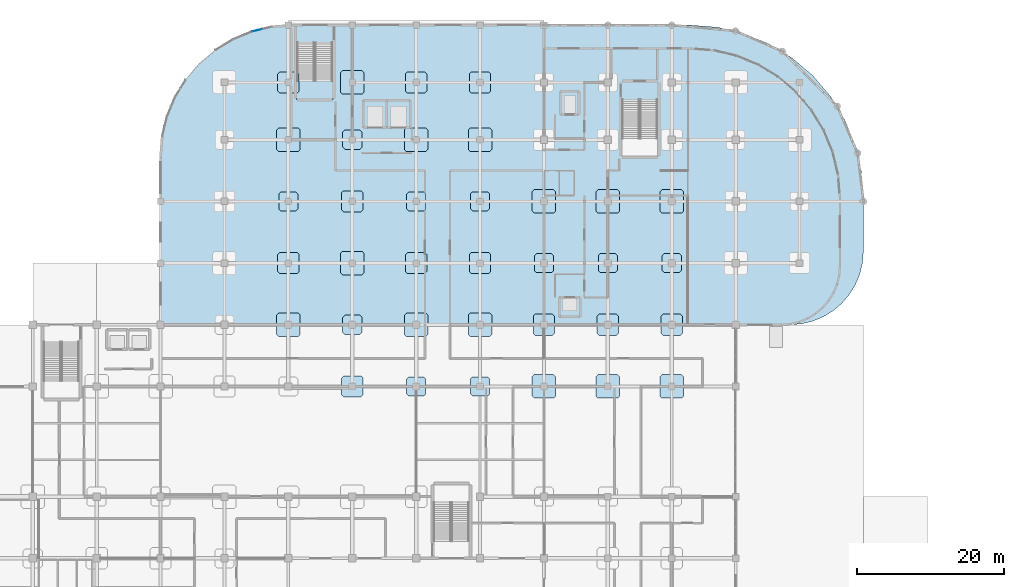
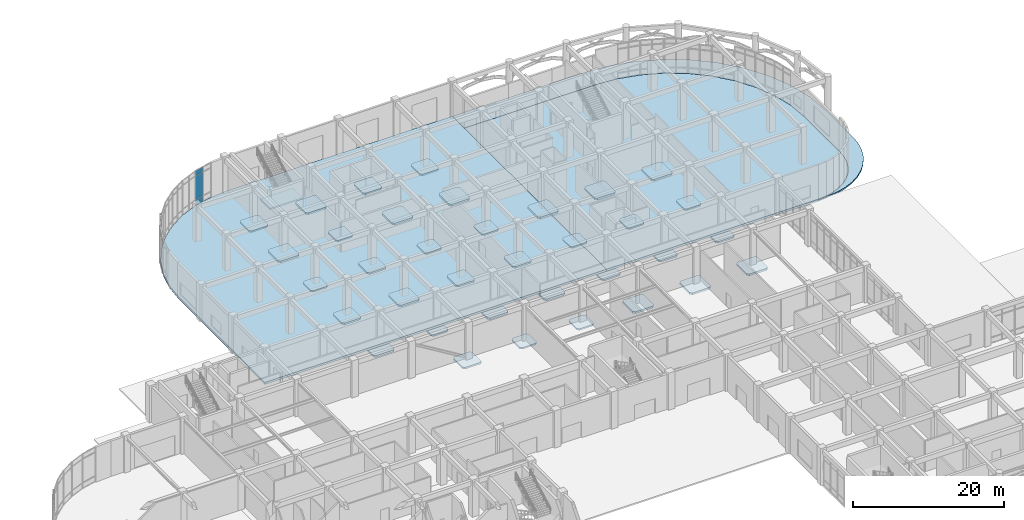
# One storey, part 54 of 82: 39 slabs, 3 plates, 2 elements without a shape of their own.
"""IFC4 building model written with IfcOpenShell, lengths in metres."""

from ifc_helpers import new_model, si_unit, derived_unit, direction, frame, origin, origin_2d, place, context, subcontext, project, spatial, polyline, rectangle, outline, extrude, material, layer, layer_set, type_object, element, aggregate, save


model = new_model("IFC4")

# Units and contexts
model_context = context("Model", 3, precision=1e-05, world=origin(), true_north=direction((0.0, 1.0)))
body_context = subcontext(model_context, "Body", "Model", "MODEL_VIEW")
ifc_project = project(units=[si_unit("LENGTHUNIT", "METRE"), si_unit("AREAUNIT", "SQUARE_METRE"), si_unit("VOLUMEUNIT", "CUBIC_METRE"), si_unit("PLANEANGLEUNIT", "RADIAN"), si_unit("MASSUNIT", "GRAM", prefix="KILO"), derived_unit("THERMALTRANSMITTANCEUNIT", [(si_unit("MASSUNIT", "GRAM", prefix="KILO"), 1), (si_unit("TIMEUNIT", "SECOND"), -3), (si_unit("THERMODYNAMICTEMPERATUREUNIT", "KELVIN"), -1)])], contexts=[model_context])

# Site, building, storey
site_placement = place(None, origin())
site = spatial("IfcSite", under=ifc_project, at=site_placement, CompositionType="ELEMENT")
building_placement = place(site_placement, origin())
building = spatial("IfcBuilding", under=site, at=building_placement, Name="Qinzheling Arcade Emporium", CompositionType="ELEMENT")
storey_placement = place(building_placement, origin())
storey = spatial("IfcBuildingStorey", under=building, at=storey_placement, Name="L01", CompositionType="ELEMENT", Elevation=0.0)

# Slabs
ifc_material_1 = material(Name="Concrete C40", Category="concrete")
ifc_layer_1 = layer(ifc_material_1, 0.235107421875, Name="Concrete C40", Category="concrete")
ifc_layer_set_1 = layer_set([ifc_layer_1], Name="Concrete C40")
slab_type_1 = type_object("IfcSlabType", Name="Column Head Drop Panel 2600x2600x235 C40", PredefinedType="USERDEFINED", material=ifc_layer_set_1)
slab_1_placement = place(storey_placement, frame((0.0, 0.0, -0.574951171875)))
element("IfcSlab", 1, at=slab_1_placement, inside=storey, type_object=slab_type_1, Name="Column Drop Panel DP-L01-10-J", ObjectType="DROP_PANEL", PredefinedType="USERDEFINED", context=body_context, shape_type="SweptSolid", body=[
    extrude(outline(polyline([(77.280029296875, 72.5), (79.320068359375, 72.5), (79.60009765625, 72.780029296875), (79.60009765625, 74.820068359375), (79.320068359375, 75.10009765625), (77.280029296875, 75.10009765625), (77.0, 74.820068359375), (77.0, 72.780029296875), (77.280029296875, 72.5)])), origin(), (0.0, 0.0, 1.0), 0.23486328125),
])
slab_2_placement = place(storey_placement, frame((0.0, 0.0, -0.574951171875)))
element("IfcSlab", 2, at=slab_2_placement, inside=storey, type_object=slab_type_1, Name="Column Drop Panel DP-L01-10-M", ObjectType="DROP_PANEL", PredefinedType="USERDEFINED", context=body_context, shape_type="SweptSolid", body=[
    extrude(outline(polyline([(77.280029296875, 97.699951171875), (79.320068359375, 97.699951171875), (79.60009765625, 97.97998046875), (79.60009765625, 100.02001953125), (79.320068359375, 100.300048828125), (77.280029296875, 100.300048828125), (77.0, 100.02001953125), (77.0, 97.97998046875), (77.280029296875, 97.699951171875)])), origin(), (0.0, 0.0, 1.0), 0.23486328125),
])
slab_3_placement = place(storey_placement, frame((0.0, 0.0, -0.574951171875)))
element("IfcSlab", 3, at=slab_3_placement, inside=storey, type_object=slab_type_1, Name="Column Drop Panel DP-L01-11-H", ObjectType="DROP_PANEL", PredefinedType="USERDEFINED", context=body_context, shape_type="SweptSolid", body=[
    extrude(outline(polyline([(85.97998046875, 64.10009765625), (88.02001953125, 64.10009765625), (88.300048828125, 64.3798828125), (88.300048828125, 66.419921875), (88.02001953125, 66.699951171875), (85.97998046875, 66.699951171875), (85.699951171875, 66.419921875), (85.699951171875, 64.3798828125), (85.97998046875, 64.10009765625)])), origin(), (0.0, 0.0, 1.0), 0.23486328125),
])
slab_4_placement = place(storey_placement, frame((0.0, 0.0, -0.574951171875)))
element("IfcSlab", 4, at=slab_4_placement, inside=storey, type_object=slab_type_1, Name="Column Drop Panel DP-L01-11-L", ObjectType="DROP_PANEL", PredefinedType="USERDEFINED", context=body_context, shape_type="SweptSolid", body=[
    extrude(outline(polyline([(85.97998046875, 89.300048828125), (88.02001953125, 89.300048828125), (88.300048828125, 89.580078125), (88.300048828125, 91.6201171875), (88.02001953125, 91.89990234375), (85.97998046875, 91.89990234375), (85.699951171875, 91.6201171875), (85.699951171875, 89.580078125), (85.97998046875, 89.300048828125)])), origin(), (0.0, 0.0, 1.0), 0.23486328125),
])
slab_5_placement = place(storey_placement, frame((0.0, 0.0, -0.574951171875)))
element("IfcSlab", 5, at=slab_5_placement, inside=storey, type_object=slab_type_1, Name="Column Drop Panel DP-L01-12-H", ObjectType="DROP_PANEL", PredefinedType="USERDEFINED", context=body_context, shape_type="SweptSolid", body=[
    extrude(outline(polyline([(94.679931640625, 64.10009765625), (96.719970703125, 64.10009765625), (97.0, 64.3798828125), (97.0, 66.419921875), (96.719970703125, 66.699951171875), (94.679931640625, 66.699951171875), (94.39990234375, 66.419921875), (94.39990234375, 64.3798828125), (94.679931640625, 64.10009765625)])), origin(), (0.0, 0.0, 1.0), 0.23486328125),
])
slab_6_placement = place(storey_placement, frame((0.0, 0.0, -0.574951171875)))
element("IfcSlab", 6, at=slab_6_placement, inside=storey, type_object=slab_type_1, Name="Column Drop Panel DP-L01-12-L", ObjectType="DROP_PANEL", PredefinedType="USERDEFINED", context=body_context, shape_type="SweptSolid", body=[
    extrude(outline(polyline([(94.679931640625, 89.300048828125), (96.719970703125, 89.300048828125), (97.0, 89.580078125), (97.0, 91.6201171875), (96.719970703125, 91.89990234375), (94.679931640625, 91.89990234375), (94.39990234375, 91.6201171875), (94.39990234375, 89.580078125), (94.679931640625, 89.300048828125)])), origin(), (0.0, 0.0, 1.0), 0.23486328125),
])
slab_7_placement = place(storey_placement, frame((0.0, 0.0, -0.574951171875)))
element("IfcSlab", 7, at=slab_7_placement, inside=storey, type_object=slab_type_1, Name="Column Drop Panel DP-L01-13-K", ObjectType="DROP_PANEL", PredefinedType="USERDEFINED", context=body_context, shape_type="SweptSolid", body=[
    extrude(outline(polyline([(103.3798828125, 80.89990234375), (105.419921875, 80.89990234375), (105.699951171875, 81.179931640625), (105.699951171875, 83.219970703125), (105.419921875, 83.5), (103.3798828125, 83.5), (103.10009765625, 83.219970703125), (103.10009765625, 81.179931640625), (103.3798828125, 80.89990234375)])), origin(), (0.0, 0.0, 1.0), 0.23486328125),
])
slab_8_placement = place(storey_placement, frame((0.0, 0.0, -0.574951171875)))
element("IfcSlab", 8, at=slab_8_placement, inside=storey, type_object=slab_type_1, Name="Column Drop Panel DP-L01-14-K", ObjectType="DROP_PANEL", PredefinedType="USERDEFINED", context=body_context, shape_type="SweptSolid", body=[
    extrude(outline(polyline([(112.080078125, 80.89990234375), (114.1201171875, 80.89990234375), (114.39990234375, 81.179931640625), (114.39990234375, 83.219970703125), (114.1201171875, 83.5), (112.080078125, 83.5), (111.800048828125, 83.219970703125), (111.800048828125, 81.179931640625), (112.080078125, 80.89990234375)])), origin(), (0.0, 0.0, 1.0), 0.23486328125),
])
slab_9_placement = place(storey_placement, frame((0.0, 0.0, -0.574951171875)))
element("IfcSlab", 9, at=slab_9_placement, inside=storey, type_object=slab_type_1, Name="Column Drop Panel DP-L01-15-K", ObjectType="DROP_PANEL", PredefinedType="USERDEFINED", context=body_context, shape_type="SweptSolid", body=[
    extrude(outline(polyline([(120.780029296875, 80.89990234375), (122.820068359375, 80.89990234375), (123.10009765625, 81.179931640625), (123.10009765625, 83.219970703125), (122.820068359375, 83.5), (120.780029296875, 83.5), (120.5, 83.219970703125), (120.5, 81.179931640625), (120.780029296875, 80.89990234375)])), origin(), (0.0, 0.0, 1.0), 0.23486328125),
])
slab_10_placement = place(storey_placement, frame((0.0, 0.0, -0.574951171875)))
element("IfcSlab", 10, at=slab_10_placement, inside=storey, type_object=slab_type_1, Name="Column Drop Panel DP-L01-9-L", ObjectType="DROP_PANEL", PredefinedType="USERDEFINED", context=body_context, shape_type="SweptSolid", body=[
    extrude(outline(polyline([(68.580078125, 89.300048828125), (70.6201171875, 89.300048828125), (70.89990234375, 89.580078125), (70.89990234375, 91.6201171875), (70.6201171875, 91.89990234375), (68.580078125, 91.89990234375), (68.300048828125, 91.6201171875), (68.300048828125, 89.580078125), (68.580078125, 89.300048828125)])), origin(), (0.0, 0.0, 1.0), 0.23486328125),
])
ifc_layer_2 = layer(ifc_material_1, 0.27001953125, Name="Concrete C40", Category="concrete")
ifc_layer_set_2 = layer_set([ifc_layer_2], Name="Concrete C40")
slab_type_2 = type_object("IfcSlabType", Name="Column Head Drop Panel 2900x2900x270 C40", PredefinedType="USERDEFINED", material=ifc_layer_set_2)
slab_11_placement = place(storey_placement, frame((0.0, 0.0, -0.610107421875)))
element("IfcSlab", 11, at=slab_11_placement, inside=storey, type_object=slab_type_2, Name="Column Drop Panel DP-L01-10-H", ObjectType="DROP_PANEL", PredefinedType="USERDEFINED", context=body_context, shape_type="SweptSolid", body=[
    extrude(outline(polyline([(77.1298828125, 63.949951171875), (79.469970703125, 63.949951171875), (79.75, 64.22998046875), (79.75, 66.570068359375), (79.469970703125, 66.85009765625), (77.1298828125, 66.85009765625), (76.85009765625, 66.570068359375), (76.85009765625, 64.22998046875), (77.1298828125, 63.949951171875)])), origin(), (0.0, 0.0, 1.0), 0.27001953125),
])
slab_12_placement = place(storey_placement, frame((0.0, 0.0, -0.610107421875)))
element("IfcSlab", 12, at=slab_12_placement, inside=storey, type_object=slab_type_2, Name="Column Drop Panel DP-L01-10-L", ObjectType="DROP_PANEL", PredefinedType="USERDEFINED", context=body_context, shape_type="SweptSolid", body=[
    extrude(outline(polyline([(77.1298828125, 89.14990234375), (79.469970703125, 89.14990234375), (79.75, 89.429931640625), (79.75, 91.77001953125), (79.469970703125, 92.050048828125), (77.1298828125, 92.050048828125), (76.85009765625, 91.77001953125), (76.85009765625, 89.429931640625), (77.1298828125, 89.14990234375)])), origin(), (0.0, 0.0, 1.0), 0.27001953125),
])
slab_13_placement = place(storey_placement, frame((0.0, 0.0, -0.610107421875)))
element("IfcSlab", 13, at=slab_13_placement, inside=storey, type_object=slab_type_2, Name="Column Drop Panel DP-L01-11-K", ObjectType="DROP_PANEL", PredefinedType="USERDEFINED", context=body_context, shape_type="SweptSolid", body=[
    extrude(outline(polyline([(85.830078125, 80.75), (88.169921875, 80.75), (88.449951171875, 81.030029296875), (88.449951171875, 83.3701171875), (88.169921875, 83.64990234375), (85.830078125, 83.64990234375), (85.550048828125, 83.3701171875), (85.550048828125, 81.030029296875), (85.830078125, 80.75)])), origin(), (0.0, 0.0, 1.0), 0.27001953125),
])
slab_14_placement = place(storey_placement, frame((0.0, 0.0, -0.610107421875)))
element("IfcSlab", 14, at=slab_14_placement, inside=storey, type_object=slab_type_2, Name="Column Drop Panel DP-L01-11-N", ObjectType="DROP_PANEL", PredefinedType="USERDEFINED", context=body_context, shape_type="SweptSolid", body=[
    extrude(outline(polyline([(85.830078125, 105.35009765625), (88.169921875, 105.35009765625), (88.449951171875, 105.6298828125), (88.449951171875, 107.969970703125), (88.169921875, 108.25), (85.830078125, 108.25), (85.550048828125, 107.969970703125), (85.550048828125, 105.6298828125), (85.830078125, 105.35009765625)])), origin(), (0.0, 0.0, 1.0), 0.27001953125),
])
slab_15_placement = place(storey_placement, frame((0.0, 0.0, -0.610107421875)))
element("IfcSlab", 15, at=slab_15_placement, inside=storey, type_object=slab_type_2, Name="Column Drop Panel DP-L01-12-K", ObjectType="DROP_PANEL", PredefinedType="USERDEFINED", context=body_context, shape_type="SweptSolid", body=[
    extrude(outline(polyline([(94.530029296875, 80.75), (96.8701171875, 80.75), (97.14990234375, 81.030029296875), (97.14990234375, 83.3701171875), (96.8701171875, 83.64990234375), (94.530029296875, 83.64990234375), (94.25, 83.3701171875), (94.25, 81.030029296875), (94.530029296875, 80.75)])), origin(), (0.0, 0.0, 1.0), 0.27001953125),
])
slab_16_placement = place(storey_placement, frame((0.0, 0.0, -0.610107421875)))
element("IfcSlab", 16, at=slab_16_placement, inside=storey, type_object=slab_type_2, Name="Column Drop Panel DP-L01-12-N", ObjectType="DROP_PANEL", PredefinedType="USERDEFINED", context=body_context, shape_type="SweptSolid", body=[
    extrude(outline(polyline([(94.530029296875, 105.35009765625), (96.8701171875, 105.35009765625), (97.14990234375, 105.6298828125), (97.14990234375, 107.969970703125), (96.8701171875, 108.25), (94.530029296875, 108.25), (94.25, 107.969970703125), (94.25, 105.6298828125), (94.530029296875, 105.35009765625)])), origin(), (0.0, 0.0, 1.0), 0.27001953125),
])
slab_17_placement = place(storey_placement, frame((0.0, 0.0, -0.610107421875)))
element("IfcSlab", 17, at=slab_17_placement, inside=storey, type_object=slab_type_2, Name="Column Drop Panel DP-L01-13-J", ObjectType="DROP_PANEL", PredefinedType="USERDEFINED", context=body_context, shape_type="SweptSolid", body=[
    extrude(outline(polyline([(103.22998046875, 72.35009765625), (105.570068359375, 72.35009765625), (105.85009765625, 72.6298828125), (105.85009765625, 74.969970703125), (105.570068359375, 75.25), (103.22998046875, 75.25), (102.949951171875, 74.969970703125), (102.949951171875, 72.6298828125), (103.22998046875, 72.35009765625)])), origin(), (0.0, 0.0, 1.0), 0.27001953125),
])
slab_18_placement = place(storey_placement, frame((0.0, 0.0, -0.610107421875)))
element("IfcSlab", 18, at=slab_18_placement, inside=storey, type_object=slab_type_2, Name="Column Drop Panel DP-L01-14-J", ObjectType="DROP_PANEL", PredefinedType="USERDEFINED", context=body_context, shape_type="SweptSolid", body=[
    extrude(outline(polyline([(111.929931640625, 72.35009765625), (114.27001953125, 72.35009765625), (114.550048828125, 72.6298828125), (114.550048828125, 74.969970703125), (114.27001953125, 75.25), (111.929931640625, 75.25), (111.64990234375, 74.969970703125), (111.64990234375, 72.6298828125), (111.929931640625, 72.35009765625)])), origin(), (0.0, 0.0, 1.0), 0.27001953125),
])
slab_19_placement = place(storey_placement, frame((0.0, 0.0, -0.610107421875)))
element("IfcSlab", 19, at=slab_19_placement, inside=storey, type_object=slab_type_2, Name="Column Drop Panel DP-L01-15-J", ObjectType="DROP_PANEL", PredefinedType="USERDEFINED", context=body_context, shape_type="SweptSolid", body=[
    extrude(outline(polyline([(120.6298828125, 72.35009765625), (122.969970703125, 72.35009765625), (123.25, 72.6298828125), (123.25, 74.969970703125), (122.969970703125, 75.25), (120.6298828125, 75.25), (120.35009765625, 74.969970703125), (120.35009765625, 72.6298828125), (120.6298828125, 72.35009765625)])), origin(), (0.0, 0.0, 1.0), 0.27001953125),
])
slab_20_placement = place(storey_placement, frame((0.0, 0.0, -0.610107421875)))
element("IfcSlab", 20, at=slab_20_placement, inside=storey, type_object=slab_type_2, Name="Column Drop Panel DP-L01-9-K", ObjectType="DROP_PANEL", PredefinedType="USERDEFINED", context=body_context, shape_type="SweptSolid", body=[
    extrude(outline(polyline([(68.429931640625, 80.75), (70.77001953125, 80.75), (71.050048828125, 81.030029296875), (71.050048828125, 83.3701171875), (70.77001953125, 83.64990234375), (68.429931640625, 83.64990234375), (68.14990234375, 83.3701171875), (68.14990234375, 81.030029296875), (68.429931640625, 80.75)])), origin(), (0.0, 0.0, 1.0), 0.27001953125),
])
slab_21_placement = place(storey_placement, frame((0.0, 0.0, -0.610107421875)))
element("IfcSlab", 21, at=slab_21_placement, inside=storey, type_object=slab_type_2, Name="Column Drop Panel DP-L01-9-N", ObjectType="DROP_PANEL", PredefinedType="USERDEFINED", context=body_context, shape_type="SweptSolid", body=[
    extrude(outline(polyline([(68.429931640625, 105.35009765625), (70.77001953125, 105.35009765625), (71.050048828125, 105.6298828125), (71.050048828125, 107.969970703125), (70.77001953125, 108.25), (68.429931640625, 108.25), (68.14990234375, 107.969970703125), (68.14990234375, 105.6298828125), (68.429931640625, 105.35009765625)])), origin(), (0.0, 0.0, 1.0), 0.27001953125),
])
ifc_layer_3 = layer(ifc_material_1, 0.300048828125, Name="Concrete C40", Category="concrete")
ifc_layer_set_3 = layer_set([ifc_layer_3], Name="Concrete C40")
slab_type_3 = type_object("IfcSlabType", Name="Column Head Drop Panel 3200x3200x300 C40", PredefinedType="USERDEFINED", material=ifc_layer_set_3)
slab_22_placement = place(storey_placement, frame((0.0, 0.0, -0.639892578125)))
element("IfcSlab", 22, at=slab_22_placement, inside=storey, type_object=slab_type_3, Name="Column Drop Panel DP-L01-10-K", ObjectType="DROP_PANEL", PredefinedType="USERDEFINED", context=body_context, shape_type="SweptSolid", body=[
    extrude(outline(polyline([(76.97998046875, 80.60009765625), (79.6201171875, 80.60009765625), (79.89990234375, 80.8798828125), (79.89990234375, 83.52001953125), (79.6201171875, 83.800048828125), (76.97998046875, 83.800048828125), (76.699951171875, 83.52001953125), (76.699951171875, 80.8798828125), (76.97998046875, 80.60009765625)])), origin(), (0.0, 0.0, 1.0), 0.2998046875),
])
slab_23_placement = place(storey_placement, frame((0.0, 0.0, -0.639892578125)))
element("IfcSlab", 23, at=slab_23_placement, inside=storey, type_object=slab_type_3, Name="Column Drop Panel DP-L01-10-N", ObjectType="DROP_PANEL", PredefinedType="USERDEFINED", context=body_context, shape_type="SweptSolid", body=[
    extrude(outline(polyline([(76.97998046875, 105.199951171875), (79.6201171875, 105.199951171875), (79.89990234375, 105.47998046875), (79.89990234375, 108.1201171875), (79.6201171875, 108.39990234375), (76.97998046875, 108.39990234375), (76.699951171875, 108.1201171875), (76.699951171875, 105.47998046875), (76.97998046875, 105.199951171875)])), origin(), (0.0, 0.0, 1.0), 0.2998046875),
])
slab_24_placement = place(storey_placement, frame((0.0, 0.0, -0.639892578125)))
element("IfcSlab", 24, at=slab_24_placement, inside=storey, type_object=slab_type_3, Name="Column Drop Panel DP-L01-11-J", ObjectType="DROP_PANEL", PredefinedType="USERDEFINED", context=body_context, shape_type="SweptSolid", body=[
    extrude(outline(polyline([(85.679931640625, 72.199951171875), (88.320068359375, 72.199951171875), (88.60009765625, 72.47998046875), (88.60009765625, 75.1201171875), (88.320068359375, 75.39990234375), (85.679931640625, 75.39990234375), (85.39990234375, 75.1201171875), (85.39990234375, 72.47998046875), (85.679931640625, 72.199951171875)])), origin(), (0.0, 0.0, 1.0), 0.2998046875),
])
slab_25_placement = place(storey_placement, frame((0.0, 0.0, -0.639892578125)))
element("IfcSlab", 25, at=slab_25_placement, inside=storey, type_object=slab_type_3, Name="Column Drop Panel DP-L01-11-M", ObjectType="DROP_PANEL", PredefinedType="USERDEFINED", context=body_context, shape_type="SweptSolid", body=[
    extrude(outline(polyline([(85.679931640625, 97.39990234375), (88.320068359375, 97.39990234375), (88.60009765625, 97.679931640625), (88.60009765625, 100.320068359375), (88.320068359375, 100.60009765625), (85.679931640625, 100.60009765625), (85.39990234375, 100.320068359375), (85.39990234375, 97.679931640625), (85.679931640625, 97.39990234375)])), origin(), (0.0, 0.0, 1.0), 0.2998046875),
])
slab_26_placement = place(storey_placement, frame((0.0, 0.0, -0.639892578125)))
element("IfcSlab", 26, at=slab_26_placement, inside=storey, type_object=slab_type_3, Name="Column Drop Panel DP-L01-12-J", ObjectType="DROP_PANEL", PredefinedType="USERDEFINED", context=body_context, shape_type="SweptSolid", body=[
    extrude(outline(polyline([(94.3798828125, 72.199951171875), (97.02001953125, 72.199951171875), (97.300048828125, 72.47998046875), (97.300048828125, 75.1201171875), (97.02001953125, 75.39990234375), (94.3798828125, 75.39990234375), (94.10009765625, 75.1201171875), (94.10009765625, 72.47998046875), (94.3798828125, 72.199951171875)])), origin(), (0.0, 0.0, 1.0), 0.2998046875),
])
slab_27_placement = place(storey_placement, frame((0.0, 0.0, -0.639892578125)))
element("IfcSlab", 27, at=slab_27_placement, inside=storey, type_object=slab_type_3, Name="Column Drop Panel DP-L01-12-M", ObjectType="DROP_PANEL", PredefinedType="USERDEFINED", context=body_context, shape_type="SweptSolid", body=[
    extrude(outline(polyline([(94.3798828125, 97.39990234375), (97.02001953125, 97.39990234375), (97.300048828125, 97.679931640625), (97.300048828125, 100.320068359375), (97.02001953125, 100.60009765625), (94.3798828125, 100.60009765625), (94.10009765625, 100.320068359375), (94.10009765625, 97.679931640625), (94.3798828125, 97.39990234375)])), origin(), (0.0, 0.0, 1.0), 0.2998046875),
])
slab_28_placement = place(storey_placement, frame((0.0, 0.0, -0.639892578125)))
element("IfcSlab", 28, at=slab_28_placement, inside=storey, type_object=slab_type_3, Name="Column Drop Panel DP-L01-13-H", ObjectType="DROP_PANEL", PredefinedType="USERDEFINED", context=body_context, shape_type="SweptSolid", body=[
    extrude(outline(polyline([(103.080078125, 63.800048828125), (105.719970703125, 63.800048828125), (106.0, 64.080078125), (106.0, 66.719970703125), (105.719970703125, 67.0), (103.080078125, 67.0), (102.800048828125, 66.719970703125), (102.800048828125, 64.080078125), (103.080078125, 63.800048828125)])), origin(), (0.0, 0.0, 1.0), 0.2998046875),
])
slab_29_placement = place(storey_placement, frame((0.0, 0.0, -0.639892578125)))
element("IfcSlab", 29, at=slab_29_placement, inside=storey, type_object=slab_type_3, Name="Column Drop Panel DP-L01-13-L", ObjectType="DROP_PANEL", PredefinedType="USERDEFINED", context=body_context, shape_type="SweptSolid", body=[
    extrude(outline(polyline([(103.080078125, 89.0), (105.719970703125, 89.0), (106.0, 89.280029296875), (106.0, 91.919921875), (105.719970703125, 92.199951171875), (103.080078125, 92.199951171875), (102.800048828125, 91.919921875), (102.800048828125, 89.280029296875), (103.080078125, 89.0)])), origin(), (0.0, 0.0, 1.0), 0.2998046875),
])
slab_30_placement = place(storey_placement, frame((0.0, 0.0, -0.639892578125)))
element("IfcSlab", 30, at=slab_30_placement, inside=storey, type_object=slab_type_3, Name="Column Drop Panel DP-L01-14-H", ObjectType="DROP_PANEL", PredefinedType="USERDEFINED", context=body_context, shape_type="SweptSolid", body=[
    extrude(outline(polyline([(111.780029296875, 63.800048828125), (114.419921875, 63.800048828125), (114.699951171875, 64.080078125), (114.699951171875, 66.719970703125), (114.419921875, 67.0), (111.780029296875, 67.0), (111.5, 66.719970703125), (111.5, 64.080078125), (111.780029296875, 63.800048828125)])), origin(), (0.0, 0.0, 1.0), 0.2998046875),
])
slab_31_placement = place(storey_placement, frame((0.0, 0.0, -0.639892578125)))
element("IfcSlab", 31, at=slab_31_placement, inside=storey, type_object=slab_type_3, Name="Column Drop Panel DP-L01-14-L", ObjectType="DROP_PANEL", PredefinedType="USERDEFINED", context=body_context, shape_type="SweptSolid", body=[
    extrude(outline(polyline([(111.780029296875, 89.0), (114.419921875, 89.0), (114.699951171875, 89.280029296875), (114.699951171875, 91.919921875), (114.419921875, 92.199951171875), (111.780029296875, 92.199951171875), (111.5, 91.919921875), (111.5, 89.280029296875), (111.780029296875, 89.0)])), origin(), (0.0, 0.0, 1.0), 0.2998046875),
])
slab_32_placement = place(storey_placement, frame((0.0, 0.0, -0.639892578125)))
element("IfcSlab", 32, at=slab_32_placement, inside=storey, type_object=slab_type_3, Name="Column Drop Panel DP-L01-15-H", ObjectType="DROP_PANEL", PredefinedType="USERDEFINED", context=body_context, shape_type="SweptSolid", body=[
    extrude(outline(polyline([(120.47998046875, 63.800048828125), (123.1201171875, 63.800048828125), (123.39990234375, 64.080078125), (123.39990234375, 66.719970703125), (123.1201171875, 67.0), (120.47998046875, 67.0), (120.199951171875, 66.719970703125), (120.199951171875, 64.080078125), (120.47998046875, 63.800048828125)])), origin(), (0.0, 0.0, 1.0), 0.2998046875),
])
slab_33_placement = place(storey_placement, frame((0.0, 0.0, -0.639892578125)))
element("IfcSlab", 33, at=slab_33_placement, inside=storey, type_object=slab_type_3, Name="Column Drop Panel DP-L01-15-L", ObjectType="DROP_PANEL", PredefinedType="USERDEFINED", context=body_context, shape_type="SweptSolid", body=[
    extrude(outline(polyline([(120.47998046875, 89.0), (123.1201171875, 89.0), (123.39990234375, 89.280029296875), (123.39990234375, 91.919921875), (123.1201171875, 92.199951171875), (120.47998046875, 92.199951171875), (120.199951171875, 91.919921875), (120.199951171875, 89.280029296875), (120.47998046875, 89.0)])), origin(), (0.0, 0.0, 1.0), 0.2998046875),
])
slab_34_placement = place(storey_placement, frame((0.0, 0.0, -0.639892578125)))
element("IfcSlab", 34, at=slab_34_placement, inside=storey, type_object=slab_type_3, Name="Column Drop Panel DP-L01-9-J", ObjectType="DROP_PANEL", PredefinedType="USERDEFINED", context=body_context, shape_type="SweptSolid", body=[
    extrude(outline(polyline([(68.280029296875, 72.199951171875), (70.919921875, 72.199951171875), (71.199951171875, 72.47998046875), (71.199951171875, 75.1201171875), (70.919921875, 75.39990234375), (68.280029296875, 75.39990234375), (68.0, 75.1201171875), (68.0, 72.47998046875), (68.280029296875, 72.199951171875)])), origin(), (0.0, 0.0, 1.0), 0.2998046875),
])
slab_35_placement = place(storey_placement, frame((0.0, 0.0, -0.639892578125)))
element("IfcSlab", 35, at=slab_35_placement, inside=storey, type_object=slab_type_3, Name="Column Drop Panel DP-L01-9-M", ObjectType="DROP_PANEL", PredefinedType="USERDEFINED", context=body_context, shape_type="SweptSolid", body=[
    extrude(outline(polyline([(68.280029296875, 97.39990234375), (70.919921875, 97.39990234375), (71.199951171875, 97.679931640625), (71.199951171875, 100.320068359375), (70.919921875, 100.60009765625), (68.280029296875, 100.60009765625), (68.0, 100.320068359375), (68.0, 97.679931640625), (68.280029296875, 97.39990234375)])), origin(), (0.0, 0.0, 1.0), 0.2998046875),
])
ifc_layer_4 = layer(ifc_material_1, 0.219970703125, Name="Concrete C40", Category="concrete")
ifc_layer_set_4 = layer_set([ifc_layer_4], Name="Concrete C40")
slab_type_4 = type_object("IfcSlabType", Name="Exterior Entry Driveway Paving Slab 220 C40", PredefinedType="FLOOR", material=ifc_layer_set_4)
slab_36_placement = place(storey_placement, frame((0.0, 0.0, -0.219970703125)))
element("IfcSlab", 36, at=slab_36_placement, inside=storey, type_object=slab_type_4, Name="Arcade and Court Paving SLB-L01-ARC-COL-02", PredefinedType="FLOOR", context=body_context, shape_type="SweptSolid", body=[
    extrude(outline(polyline([(104.39990234375, 111.39990234375), (124.39990234375, 111.39990234375), (127.575927734375, 111.14990234375), (130.673095703125, 110.406005859375), (133.615966796875, 109.18701171875), (136.33203125, 107.52294921875), (138.75390625, 105.4541015625), (140.822998046875, 103.031982421875), (142.487060546875, 100.31591796875), (143.7060546875, 97.373046875), (144.449951171875, 94.27587890625), (144.699951171875, 91.10009765625), (144.699951171875, 81.800048828125), (144.60205078125, 80.549072265625), (144.30810546875, 79.327880859375), (143.827880859375, 78.16796875), (143.172119140625, 77.097900390625), (142.35693359375, 76.14306640625), (141.402099609375, 75.327880859375), (140.33203125, 74.672119140625), (139.172119140625, 74.19189453125), (137.950927734375, 73.89794921875), (136.699951171875, 73.800048828125), (137.89990234375, 73.800048828125), (139.464111328125, 73.923095703125), (140.989990234375, 74.2890625), (142.43994140625, 74.889892578125), (143.778076171875, 75.7099609375), (144.970947265625, 76.72900390625), (145.989990234375, 77.922119140625), (146.81005859375, 79.260009765625), (147.410888671875, 80.7099609375), (147.777099609375, 82.236083984375), (147.89990234375, 83.800048828125), (147.89990234375, 91.10009765625), (147.611083984375, 94.77587890625), (146.75, 98.362060546875), (145.339111328125, 101.76904296875), (143.412109375, 104.9130859375), (141.01708984375, 107.717041015625), (138.212890625, 110.112060546875), (135.069091796875, 112.0390625), (131.662109375, 113.449951171875), (128.075927734375, 114.31103515625), (124.39990234375, 114.60009765625), (104.39990234375, 114.60009765625), (104.39990234375, 111.39990234375)])), origin(), (0.0, 0.0, 1.0), 0.219970703125),
])
ifc_layer_5 = layer(ifc_material_1, 0.340087890625, Name="Concrete C40", Category="concrete")
ifc_layer_set_5 = layer_set([ifc_layer_5], Name="Concrete C40")
slab_type_5 = type_object("IfcSlabType", Name="Ground Mercantile & Dock Slab 340 C40", PredefinedType="FLOOR", material=ifc_layer_set_5)
slab_37_placement = place(storey_placement, frame((0.0, 0.0, -0.340087890625)))
element("IfcSlab", 37, at=slab_37_placement, inside=storey, type_object=slab_type_5, Name="Floor Slab SLB-L01-V5", PredefinedType="FLOOR", context=body_context, shape_type="SweptSolid", body=[
    extrude(outline(polyline([(52.199951171875, 96.60009765625), (52.199951171875, 73.800048828125), (104.39990234375, 73.800048828125), (104.39990234375, 114.60009765625), (70.199951171875, 114.60009765625), (67.384033203125, 114.3779296875), (64.637939453125, 113.718994140625), (62.028076171875, 112.637939453125), (59.6201171875, 111.162109375), (57.471923828125, 109.327880859375), (55.637939453125, 107.179931640625), (54.162109375, 104.77197265625), (53.0810546875, 102.162109375), (52.422119140625, 99.416015625), (52.199951171875, 96.60009765625)])), origin(), (0.0, 0.0, 1.0), 0.340087890625),
])
slab_38_placement = place(storey_placement, frame((0.0, 0.0, -0.340087890625)))
element("IfcSlab", 38, at=slab_38_placement, inside=storey, type_object=slab_type_5, Name="Floor Slab SLB-L01-V6", PredefinedType="FLOOR", context=body_context, shape_type="SweptSolid", body=[
    extrude(outline(polyline([(104.39990234375, 111.39990234375), (104.39990234375, 73.800048828125), (136.699951171875, 73.800048828125), (137.950927734375, 73.89794921875), (139.172119140625, 74.19189453125), (140.33203125, 74.672119140625), (141.402099609375, 75.327880859375), (142.35693359375, 76.14306640625), (143.172119140625, 77.097900390625), (143.827880859375, 78.16796875), (144.30810546875, 79.327880859375), (144.60205078125, 80.549072265625), (144.699951171875, 81.800048828125), (144.699951171875, 91.10009765625), (144.449951171875, 94.27587890625), (143.7060546875, 97.373046875), (142.487060546875, 100.31591796875), (140.822998046875, 103.031982421875), (138.75390625, 105.4541015625), (136.33203125, 107.52294921875), (133.615966796875, 109.18701171875), (130.673095703125, 110.406005859375), (127.575927734375, 111.14990234375), (124.39990234375, 111.39990234375), (104.39990234375, 111.39990234375)])), origin(), (0.0, 0.0, 1.0), 0.340087890625),
])

# Curtain wall, plates
ifc_material_2 = material(Name="Anodised aluminium and solar-control double glazing", Category="aluminium")
ifc_layer_6 = layer(ifc_material_2, 0.159912109375, Name="Anodised aluminium and solar-control double glazing", Category="aluminium")
ifc_layer_set_6 = layer_set([ifc_layer_6], Name="Anodised aluminium and solar-control double glazing")
curtain_wall_type = type_object("IfcCurtainWallType", Name="Curved Ribbon Sales Curtain Wall", PredefinedType="NOTDEFINED", material=ifc_layer_set_6)
curtain_wall_placement = place(storey_placement, origin())
curtain_wall = element("IfcCurtainWall", 39, at=curtain_wall_placement, inside=storey, type_object=curtain_wall_type, Name="Curtain Wall CW-L01-034", PredefinedType="NOTDEFINED")
ifc_material_3 = material(Name="Laminated solar-control double glazing", Category="glass")
ifc_layer_7 = layer(ifc_material_3, 0.02392578125, Name="Laminated solar-control double glazing", Category="glass")
ifc_layer_set_7 = layer_set([ifc_layer_7], Name="Laminated solar-control double glazing")
plate_type = type_object("IfcPlateType", Name="Low-E Double Glazed Curtain Panel 24mm", PredefinedType="CURTAIN_PANEL", material=ifc_layer_set_7)
plate_1_placement = place(storey_placement, frame((65.339111328125, 113.88720703125, 0.06005859375), z_axis=(0.0, 0.0, 1.0), x_axis=(0.972390516216, 0.233359559423, 0.0)))
plate_1 = element("IfcPlate", 40, at=plate_1_placement, type_object=plate_type, Name="CW02 panel 1.1", PredefinedType="CURTAIN_PANEL", context=body_context, shape_type="SweptSolid", body=[
    extrude(rectangle(XDim=1.322021484375, YDim=0.02392578125, at=origin_2d()), origin(), (0.0, 0.0, 1.0), 0.860107421875),
])
plate_2_placement = place(storey_placement, frame((65.339111328125, 113.88720703125, 0.97998046875), z_axis=(0.0, 0.0, 1.0), x_axis=(0.972390516216, 0.233359559423, 0.0)))
plate_2 = element("IfcPlate", 41, at=plate_2_placement, type_object=plate_type, Name="CW02 panel 1.2", PredefinedType="CURTAIN_PANEL", context=body_context, shape_type="SweptSolid", body=[
    extrude(rectangle(XDim=1.322021484375, YDim=0.02392578125, at=origin_2d()), origin(), (0.0, 0.0, 1.0), 3.800048828125),
])
plate_3_placement = place(storey_placement, frame((65.339111328125, 113.88720703125, 4.83984375), z_axis=(0.0, 0.0, 1.0), x_axis=(0.972390516216, 0.233359559423, 0.0)))
plate_3 = element("IfcPlate", 42, at=plate_3_placement, type_object=plate_type, Name="CW02 panel 1.3", PredefinedType="CURTAIN_PANEL", context=body_context, shape_type="SweptSolid", body=[
    extrude(rectangle(XDim=1.322021484375, YDim=0.02392578125, at=origin_2d()), origin(), (0.0, 0.0, 1.0), 0.760009765625),
])
aggregate(curtain_wall, [plate_1, plate_2, plate_3])

# Stair, slab
stair_type = type_object("IfcStairType", Name="Cast-in-Situ Dog-Leg Escape Stair H6000", PredefinedType="HALF_TURN_STAIR", material=ifc_material_1)
stair_placement = place(storey_placement, origin())
stair = element("IfcStair", 43, at=stair_placement, inside=storey, type_object=stair_type, Name="L01 ST07", PredefinedType="HALF_TURN_STAIR")
ifc_layer_8 = layer(ifc_material_1, 0.199951171875, Name="Concrete C40", Category="concrete")
ifc_layer_set_8 = layer_set([ifc_layer_8], Name="Concrete C40")
slab_type_6 = type_object("IfcSlabType", Name="Stair Half-Turn Landing Slab 200 C40", PredefinedType="LANDING", material=ifc_layer_set_8)
slab_39_placement = place(storey_placement, frame((0.0, 0.0, 2.800048828125)))
slab_39 = element("IfcSlab", 44, at=slab_39_placement, type_object=slab_type_6, Name="ST07 landing 1", PredefinedType="LANDING", context=body_context, shape_type="SweptSolid", body=[
    extrude(outline(polyline([(70.679931640625, 107.080078125), (75.7099609375, 107.080078125), (75.7099609375, 104.47998046875), (70.679931640625, 104.47998046875), (70.679931640625, 107.080078125)])), origin(), (0.0, 0.0, 1.0), 0.199951171875),
])
aggregate(stair, [slab_39])

save(model, "model.ifc")
